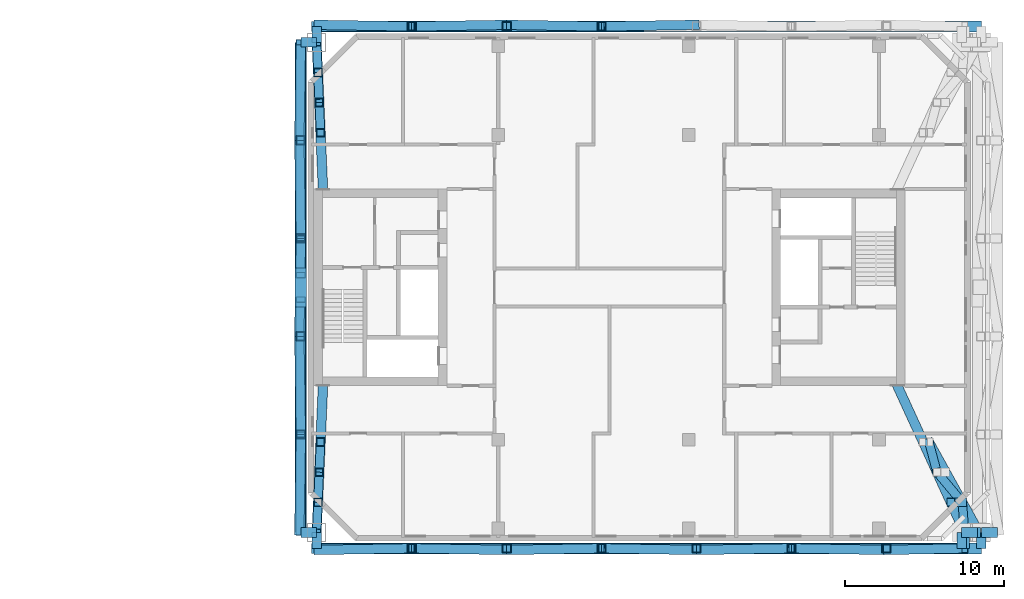
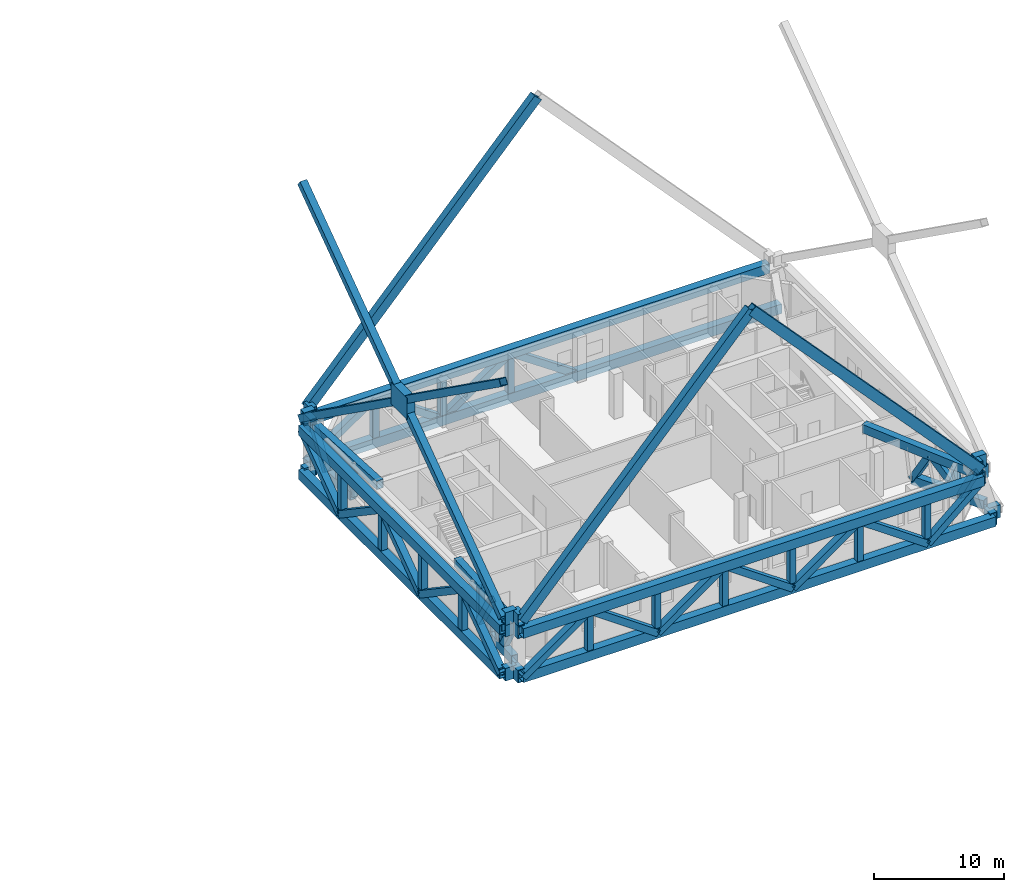
# One storey, part 4 of 22: 53 members, 30 beams.
"""IFC4 building model written with IfcOpenShell, lengths in metres."""

from ifc_helpers import new_model, si_unit, direction, frame, origin, origin_2d, place, context, subcontext, project, spatial, rectangle, hollow_rectangle, extrude, material, material_profile, profile_set, type_object, element, save


model = new_model("IFC4")

# Units and contexts
model_context = context("Model", 3, precision=1e-05, world=origin(), true_north=direction((0.0, 1.0)))
body_context = subcontext(model_context, "Body", "Model", "MODEL_VIEW")
ifc_project = project(units=[si_unit("LENGTHUNIT", "METRE"), si_unit("AREAUNIT", "SQUARE_METRE"), si_unit("VOLUMEUNIT", "CUBIC_METRE"), si_unit("PLANEANGLEUNIT", "RADIAN"), si_unit("MASSUNIT", "GRAM", prefix="KILO")], contexts=[model_context])

# Site, building, storey
site_placement = place(None, origin())
site = spatial("IfcSite", under=ifc_project, at=site_placement, CompositionType="ELEMENT")
building_placement = place(site_placement, origin())
building = spatial("IfcBuilding", under=site, at=building_placement, Name="Tuart Gate Housing", CompositionType="ELEMENT")
storey_placement = place(building_placement, frame((0.0, 0.0, 115.0)))
storey = spatial("IfcBuildingStorey", under=building, at=storey_placement, Name="L32", CompositionType="ELEMENT", Elevation=115.0)

# Beams
ifc_material_1 = material(Name="Steel Grade 350", Category="steel")
ifc_material_profile_1 = material_profile(ifc_material_1, hollow_rectangle(XDim=0.699951171875, YDim=0.89990234375, WallThickness=0.0400390625, at=origin_2d()), Name="BOX 900x700x40")
ifc_profile_set_1 = profile_set([ifc_material_profile_1], Name="Steel Grade 350")
beam_type_1 = type_object("IfcBeamType", Name="Belt truss chord BOX 900x700x40", PredefinedType="BEAM", material=ifc_profile_set_1)
beam_1_placement = place(storey_placement, frame((130.550048828125, 54.550048828125, 3.75), z_axis=(0.0, 1.0, 0.0), x_axis=(-1.0, 0.0, 0.0)))
element("IfcBeam", 1, at=beam_1_placement, inside=storey, type_object=beam_type_1, Name="Belt truss top chord B west L32", PredefinedType="BEAM", context=body_context, shape_type="SweptSolid", body=[
    extrude(hollow_rectangle(XDim=0.699951171875, YDim=0.89990234375, WallThickness=0.0400390625, at=origin_2d()), origin(), (0.0, 0.0, 1.0), 30.89990234375),
])
ifc_material_2 = material(Name="Steel Grade 350", Category="steel")
ifc_material_profile_2 = material_profile(ifc_material_2, hollow_rectangle(XDim=0.699951171875, YDim=0.89990234375, WallThickness=0.0400390625, at=origin_2d()), Name="BOX 900x700x40")
ifc_profile_set_2 = profile_set([ifc_material_profile_2], Name="Steel Grade 350")
beam_type_2 = type_object("IfcBeamType", Name="Belt truss chord BOX 900x700x40 (40.9-51.9 m)", PredefinedType="BEAM", material=ifc_profile_set_2)
for number, where, z_axis, x_axis, name in (
    (2, (131.550048828125, 53.550048828125, 3.75), (1.0, 0.0, 0.0), (0.0, 1.0, 0.0), "Belt truss top chord B south L32"),
    (3, (131.550048828125, 86.449951171875, 3.75), (1.0, 0.0, 0.0), (0.0, 1.0, 0.0), "Belt truss top chord B north L32"),
):
    element("IfcBeam", number, at=place(storey_placement, frame(where, z_axis=z_axis, x_axis=x_axis)), inside=storey, type_object=beam_type_2, Name=name, PredefinedType="BEAM", context=body_context, shape_type="SweptSolid", body=[
        extrude(hollow_rectangle(XDim=0.699951171875, YDim=0.89990234375, WallThickness=0.0400390625, at=origin_2d()), origin(), (0.0, 0.0, 1.0), 40.858154296875),
    ])

# Members
ifc_material_3 = material(Name="Steel Grade 350", Category="steel")
ifc_material_profile_3 = material_profile(ifc_material_3, hollow_rectangle(XDim=0.60009765625, YDim=0.60009765625, WallThickness=0.031982421875, at=origin_2d()), Name="BOX 600x600x32")
ifc_profile_set_3 = profile_set([ifc_material_profile_3], Name="Steel Grade 350")
member_type_1 = type_object("IfcMemberType", Name="Belt truss diagonal BOX 600x600x32", PredefinedType="BRACE", material=ifc_profile_set_3)
member_1_placement = place(storey_placement, frame((131.550048828125, 53.449951171875, -0.39990234375), z_axis=(0.821727049166, 0.013741815481, 0.569715559886), x_axis=(-0.016720752187, 0.999860198451, 0.0)))
element("IfcMember", 4, at=member_1_placement, inside=storey, type_object=member_type_1, Name="Belt truss diagonal B south 0 L32", PredefinedType="BRACE", context=body_context, shape_type="SweptSolid", body=[
    extrude(hollow_rectangle(XDim=0.60009765625, YDim=0.60009765625, WallThickness=0.031982421875, at=origin_2d()), origin(), (0.0, 0.0, 1.0), 7.2841796875),
])
member_2_placement = place(storey_placement, frame((137.53564453125, 53.550048828125, 3.75), z_axis=(0.821737933731, -0.013741437019, -0.569699869384), x_axis=(0.016720070399, 0.999860209852, 0.0)))
element("IfcMember", 5, at=member_2_placement, inside=storey, type_object=member_type_1, Name="Belt truss diagonal B south 1 L32", PredefinedType="BRACE", context=body_context, shape_type="SweptSolid", body=[
    extrude(hollow_rectangle(XDim=0.60009765625, YDim=0.60009765625, WallThickness=0.031982421875, at=origin_2d()), origin(), (0.0, 0.0, 1.0), 7.284423828125),
])
member_3_placement = place(storey_placement, frame((143.521484375, 53.449951171875, -0.39990234375), z_axis=(0.821727049166, 0.013741815481, 0.569715559886), x_axis=(-0.016720752187, 0.999860198451, 0.0)))
element("IfcMember", 6, at=member_3_placement, inside=storey, type_object=member_type_1, Name="Belt truss diagonal B south 2 L32", PredefinedType="BRACE", context=body_context, shape_type="SweptSolid", body=[
    extrude(hollow_rectangle(XDim=0.60009765625, YDim=0.60009765625, WallThickness=0.031982421875, at=origin_2d()), origin(), (0.0, 0.0, 1.0), 7.2841796875),
])
member_4_placement = place(storey_placement, frame((149.507080078125, 53.550048828125, 3.75), z_axis=(0.821737933731, -0.013741437019, -0.569699869384), x_axis=(0.016720070399, 0.999860209852, 0.0)))
element("IfcMember", 7, at=member_4_placement, inside=storey, type_object=member_type_1, Name="Belt truss diagonal B south 3 L32", PredefinedType="BRACE", context=body_context, shape_type="SweptSolid", body=[
    extrude(hollow_rectangle(XDim=0.60009765625, YDim=0.60009765625, WallThickness=0.031982421875, at=origin_2d()), origin(), (0.0, 0.0, 1.0), 7.284423828125),
])
member_5_placement = place(storey_placement, frame((155.492919921875, 53.449951171875, -0.39990234375), z_axis=(0.821727049166, 0.013741815481, 0.569715559886), x_axis=(-0.016720752187, 0.999860198451, 0.0)))
element("IfcMember", 8, at=member_5_placement, inside=storey, type_object=member_type_1, Name="Belt truss diagonal B south 4 L32", PredefinedType="BRACE", context=body_context, shape_type="SweptSolid", body=[
    extrude(hollow_rectangle(XDim=0.60009765625, YDim=0.60009765625, WallThickness=0.031982421875, at=origin_2d()), origin(), (0.0, 0.0, 1.0), 7.2841796875),
])
member_6_placement = place(storey_placement, frame((161.478515625, 53.550048828125, 3.75), z_axis=(0.821737933731, -0.013741437019, -0.569699869384), x_axis=(0.016720070399, 0.999860209852, 0.0)))
element("IfcMember", 9, at=member_6_placement, inside=storey, type_object=member_type_1, Name="Belt truss diagonal B south 5 L32", PredefinedType="BRACE", context=body_context, shape_type="SweptSolid", body=[
    extrude(hollow_rectangle(XDim=0.60009765625, YDim=0.60009765625, WallThickness=0.031982421875, at=origin_2d()), origin(), (0.0, 0.0, 1.0), 7.284423828125),
])
member_7_placement = place(storey_placement, frame((167.46435546875, 53.449951171875, -0.39990234375), z_axis=(0.765836272231, 0.01550582082, 0.642848639772), x_axis=(-0.020242764871, 0.999795094242, 0.0)))
element("IfcMember", 10, at=member_7_placement, inside=storey, type_object=member_type_1, Name="Belt truss diagonal B south 6 L32", PredefinedType="BRACE", context=body_context, shape_type="SweptSolid", body=[
    extrude(hollow_rectangle(XDim=0.60009765625, YDim=0.60009765625, WallThickness=0.031982421875, at=origin_2d()), origin(), (0.0, 0.0, 1.0), 6.45556640625),
])
member_8_placement = place(storey_placement, frame((131.550048828125, 86.550048828125, -0.39990234375), z_axis=(0.821727049166, -0.013741815481, 0.569715559886), x_axis=(0.016720752187, 0.999860198451, 0.0)))
element("IfcMember", 11, at=member_8_placement, inside=storey, type_object=member_type_1, Name="Belt truss diagonal B north 0 L32", PredefinedType="BRACE", context=body_context, shape_type="SweptSolid", body=[
    extrude(hollow_rectangle(XDim=0.60009765625, YDim=0.60009765625, WallThickness=0.031982421875, at=origin_2d()), origin(), (0.0, 0.0, 1.0), 7.2841796875),
])
member_9_placement = place(storey_placement, frame((137.53564453125, 86.449951171875, 3.75), z_axis=(0.821737933731, 0.013741437019, -0.569699869384), x_axis=(-0.016720070399, 0.999860209852, 0.0)))
element("IfcMember", 12, at=member_9_placement, inside=storey, type_object=member_type_1, Name="Belt truss diagonal B north 1 L32", PredefinedType="BRACE", context=body_context, shape_type="SweptSolid", body=[
    extrude(hollow_rectangle(XDim=0.60009765625, YDim=0.60009765625, WallThickness=0.031982421875, at=origin_2d()), origin(), (0.0, 0.0, 1.0), 7.284423828125),
])
member_10_placement = place(storey_placement, frame((143.521484375, 86.550048828125, -0.39990234375), z_axis=(0.821727049166, -0.013741815481, 0.569715559886), x_axis=(0.016720752187, 0.999860198451, 0.0)))
element("IfcMember", 13, at=member_10_placement, inside=storey, type_object=member_type_1, Name="Belt truss diagonal B north 2 L32", PredefinedType="BRACE", context=body_context, shape_type="SweptSolid", body=[
    extrude(hollow_rectangle(XDim=0.60009765625, YDim=0.60009765625, WallThickness=0.031982421875, at=origin_2d()), origin(), (0.0, 0.0, 1.0), 7.2841796875),
])
member_11_placement = place(storey_placement, frame((149.507080078125, 86.449951171875, 3.75), z_axis=(0.821737933731, 0.013741437019, -0.569699869384), x_axis=(-0.016720070399, 0.999860209852, 0.0)))
element("IfcMember", 14, at=member_11_placement, inside=storey, type_object=member_type_1, Name="Belt truss diagonal B north 3 L32", PredefinedType="BRACE", context=body_context, shape_type="SweptSolid", body=[
    extrude(hollow_rectangle(XDim=0.60009765625, YDim=0.60009765625, WallThickness=0.031982421875, at=origin_2d()), origin(), (0.0, 0.0, 1.0), 7.284423828125),
])
for number, where, z_axis, x_axis, name in (
    (15, (130.449951171875, 54.550048828125, -0.39990234375), (0.013445527925, 0.830113776504, 0.55743191139), (-0.999868850984, 0.016195086671, 0.0), "Belt truss diagonal B west 0 L32"),
    (16, (130.550048828125, 60.72998046875, 3.75), (-0.013445527925, 0.830113776504, -0.55743191139), (-0.999868850984, -0.016195086671, 0.0), "Belt truss diagonal B west 1 L32"),
):
    element("IfcMember", number, at=place(storey_placement, frame(where, z_axis=z_axis, x_axis=x_axis)), inside=storey, type_object=member_type_1, Name=name, PredefinedType="BRACE", context=body_context, shape_type="SweptSolid", body=[
        extrude(hollow_rectangle(XDim=0.60009765625, YDim=0.60009765625, WallThickness=0.031982421875, at=origin_2d()), origin(), (0.0, 0.0, 1.0), 7.444580078125),
    ])
member_12_placement = place(storey_placement, frame((130.449951171875, 66.909912109375, -0.39990234375), z_axis=(0.013445161909, 0.830123972098, 0.557416736894), x_axis=(-0.999868861343, 0.016194447071, 0.0)))
element("IfcMember", 17, at=member_12_placement, inside=storey, type_object=member_type_1, Name="Belt truss diagonal B west 2 L32", PredefinedType="BRACE", context=body_context, shape_type="SweptSolid", body=[
    extrude(hollow_rectangle(XDim=0.60009765625, YDim=0.60009765625, WallThickness=0.031982421875, at=origin_2d()), origin(), (0.0, 0.0, 1.0), 7.44482421875),
])
for number, where, z_axis, x_axis, name in (
    (18, (130.550048828125, 73.090087890625, 3.75), (-0.013445527925, 0.830113776504, -0.55743191139), (-0.999868850984, -0.016195086671, 0.0), "Belt truss diagonal B west 3 L32"),
    (19, (130.449951171875, 79.27001953125, -0.39990234375), (0.013445527925, 0.830113776504, 0.55743191139), (-0.999868850984, 0.016195086671, 0.0), "Belt truss diagonal B west 4 L32"),
):
    element("IfcMember", number, at=place(storey_placement, frame(where, z_axis=z_axis, x_axis=x_axis)), inside=storey, type_object=member_type_1, Name=name, PredefinedType="BRACE", context=body_context, shape_type="SweptSolid", body=[
        extrude(hollow_rectangle(XDim=0.60009765625, YDim=0.60009765625, WallThickness=0.031982421875, at=origin_2d()), origin(), (0.0, 0.0, 1.0), 7.444580078125),
    ])
ifc_material_4 = material(Name="Steel Grade 350", Category="steel")
ifc_material_profile_4 = material_profile(ifc_material_4, hollow_rectangle(XDim=0.56005859375, YDim=0.56005859375, WallThickness=0.030029296875, at=origin_2d()), Name="BOX 560x560x30")
ifc_profile_set_4 = profile_set([ifc_material_profile_4], Name="Steel Grade 350")
member_type_2 = type_object("IfcMemberType", Name="Belt truss post BOX 560x560x30", PredefinedType="POST", material=ifc_profile_set_4)
for number, where, z_axis, x_axis, name in (
    (20, (137.53564453125, 53.550048828125, -0.39990234375), (0.0, 0.0, 1.0), (1.0, 0.0, 0.0), "Belt truss post B south 1 L32"),
    (21, (143.521484375, 53.550048828125, -0.39990234375), (0.0, 0.0, 1.0), (1.0, 0.0, 0.0), "Belt truss post B south 2 L32"),
    (22, (149.507080078125, 53.550048828125, -0.39990234375), (0.0, 0.0, 1.0), (1.0, 0.0, 0.0), "Belt truss post B south 3 L32"),
    (23, (155.492919921875, 53.550048828125, -0.39990234375), (0.0, 0.0, 1.0), (1.0, 0.0, 0.0), "Belt truss post B south 4 L32"),
    (24, (161.478515625, 53.550048828125, -0.39990234375), (0.0, 0.0, 1.0), (1.0, 0.0, 0.0), "Belt truss post B south 5 L32"),
    (25, (167.46435546875, 53.550048828125, -0.39990234375), (0.0, 0.0, 1.0), (1.0, 0.0, 0.0), "Belt truss post B south 6 L32"),
    (26, (137.53564453125, 86.449951171875, -0.39990234375), (0.0, 0.0, 1.0), (1.0, 0.0, 0.0), "Belt truss post B north 1 L32"),
    (27, (143.521484375, 86.449951171875, -0.39990234375), (0.0, 0.0, 1.0), (1.0, 0.0, 0.0), "Belt truss post B north 2 L32"),
    (28, (149.507080078125, 86.449951171875, -0.39990234375), (0.0, 0.0, 1.0), (1.0, 0.0, 0.0), "Belt truss post B north 3 L32"),
    (29, (130.550048828125, 60.72998046875, -0.39990234375), (0.0, 0.0, 1.0), (1.0, 0.0, 0.0), "Belt truss post B west 1 L32"),
    (30, (130.550048828125, 66.909912109375, -0.39990234375), (0.0, 0.0, 1.0), (1.0, 0.0, 0.0), "Belt truss post B west 2 L32"),
    (31, (130.550048828125, 73.090087890625, -0.39990234375), (0.0, 0.0, 1.0), (1.0, 0.0, 0.0), "Belt truss post B west 3 L32"),
    (32, (130.550048828125, 79.27001953125, -0.39990234375), (0.0, 0.0, 1.0), (1.0, 0.0, 0.0), "Belt truss post B west 4 L32"),
):
    element("IfcMember", number, at=place(storey_placement, frame(where, z_axis=z_axis, x_axis=x_axis)), inside=storey, type_object=member_type_2, Name=name, PredefinedType="POST", context=body_context, shape_type="SweptSolid", body=[
        extrude(hollow_rectangle(XDim=0.56005859375, YDim=0.56005859375, WallThickness=0.030029296875, at=origin_2d()), origin(), (0.0, 0.0, 1.0), 4.14990234375),
    ])
ifc_material_5 = material(Name="Steel Grade 350", Category="steel")
ifc_material_profile_5 = material_profile(ifc_material_5, rectangle(XDim=2.446044921875, YDim=2.0048828125, at=origin_2d()), Name="Brace node plate 2446 x 2005")
ifc_profile_set_5 = profile_set([ifc_material_profile_5], Name="Steel Grade 350")
member_type_3 = type_object("IfcMemberType", Name="Brace node plate 2446 x 2005", PredefinedType="PLATE", material=ifc_profile_set_5)
member_13_placement = place(storey_placement, frame((130.193603515625, 70.0, 15.860107421875), z_axis=(1.0, 0.0, 0.0), x_axis=(0.0, 1.0, 0.0)))
element("IfcMember", 33, at=member_13_placement, inside=storey, type_object=member_type_3, Name="Brace node B zone 5 west", PredefinedType="PLATE", context=body_context, shape_type="SweptSolid", body=[
    extrude(rectangle(XDim=2.446044921875, YDim=2.0048828125, at=origin_2d()), origin(), (0.0, 0.0, 1.0), 0.712890625),
])

# Beams
ifc_material_6 = material(Name="Steel Grade 350", Category="steel")
ifc_material_profile_6 = material_profile(ifc_material_6, hollow_rectangle(XDim=0.60009765625, YDim=1.199951171875, WallThickness=0.0400390625, at=origin_2d()), Name="BOX 1200x600x40")
ifc_profile_set_6 = profile_set([ifc_material_profile_6], Name="Steel Grade 350")
beam_type_3 = type_object("IfcBeamType", Name="Brace shoe BOX 1200x600x40", PredefinedType="BEAM", material=ifc_profile_set_6)
for number, where, z_axis, x_axis, name in (
    (34, (131.550048828125, 54.550048828125, -0.39990234375), (0.0, -1.0, 0.0), (1.0, 0.0, 0.0), "Mega tie beam B node 4 south shoe 0 L32"),
    (35, (173.449951171875, 54.550048828125, -0.39990234375), (0.0, -1.0, 0.0), (1.0, 0.0, 0.0), "Mega tie beam B node 4 south shoe 1 L32"),
    (36, (131.550048828125, 85.449951171875, -0.39990234375), (0.0, 1.0, 0.0), (-1.0, 0.0, 0.0), "Mega tie beam B node 4 north shoe 0 L32"),
    (37, (173.449951171875, 54.550048828125, -0.39990234375), (1.0, 0.0, 0.0), (0.0, 1.0, 0.0), "Mega tie beam B node 4 east shoe 0 L32"),
    (38, (131.550048828125, 54.550048828125, -0.39990234375), (-1.0, 0.0, 0.0), (0.0, -1.0, 0.0), "Mega tie beam B node 4 west shoe 0 L32"),
    (39, (131.550048828125, 85.449951171875, -0.39990234375), (-1.0, 0.0, 0.0), (0.0, -1.0, 0.0), "Mega tie beam B node 4 west shoe 1 L32"),
    (40, (131.550048828125, 54.550048828125, 4.820068359375), (0.0, -1.0, 0.0), (1.0, 0.0, 0.0), "Mega brace shoe B zone 5 south chevron 1"),
    (41, (172.199951171875, 54.550048828125, 4.820068359375), (0.0, -1.0, 0.0), (1.0, 0.0, 0.0), "Mega brace shoe B zone 5 south chevron 2"),
    (42, (131.550048828125, 85.449951171875, 4.820068359375), (0.0, 1.0, 0.0), (-1.0, 0.0, 0.0), "Mega brace shoe B zone 5 north chevron 1"),
    (43, (172.199951171875, 54.550048828125, 4.820068359375), (1.0, 0.0, 0.0), (0.0, 1.0, 0.0), "Mega brace shoe B zone 5 east cross 1"),
    (44, (131.550048828125, 54.550048828125, 4.820068359375), (-1.0, 0.0, 0.0), (0.0, -1.0, 0.0), "Mega brace shoe B zone 5 west cross 1"),
    (45, (131.550048828125, 85.449951171875, 4.820068359375), (-1.0, 0.0, 0.0), (0.0, -1.0, 0.0), "Mega brace shoe B zone 5 west cross 2"),
    (46, (131.550048828125, 54.550048828125, 3.75), (0.0, -1.0, 0.0), (1.0, 0.0, 0.0), "Belt truss top chord B south shoe 0 L32"),
    (47, (172.408203125, 54.550048828125, 3.75), (0.0, -1.0, 0.0), (1.0, 0.0, 0.0), "Belt truss top chord B south shoe 1 L32"),
    (48, (131.550048828125, 85.449951171875, 3.75), (0.0, 1.0, 0.0), (-1.0, 0.0, 0.0), "Belt truss top chord B north shoe 0 L32"),
    (49, (172.408203125, 54.550048828125, 3.75), (1.0, 0.0, 0.0), (0.0, 1.0, 0.0), "Belt truss top chord B east shoe 0 L32"),
    (50, (131.550048828125, 54.550048828125, 3.75), (-1.0, 0.0, 0.0), (0.0, -1.0, 0.0), "Belt truss top chord B west shoe 0 L32"),
    (51, (131.550048828125, 85.449951171875, 3.75), (-1.0, 0.0, 0.0), (0.0, -1.0, 0.0), "Belt truss top chord B west shoe 1 L32"),
):
    element("IfcBeam", number, at=place(storey_placement, frame(where, z_axis=z_axis, x_axis=x_axis)), inside=storey, type_object=beam_type_3, Name=name, PredefinedType="BEAM", context=body_context, shape_type="SweptSolid", body=[
        extrude(hollow_rectangle(XDim=0.60009765625, YDim=1.199951171875, WallThickness=0.0400390625, at=origin_2d()), origin(), (0.0, 0.0, 1.0), 1.0),
    ])

# Members
ifc_material_7 = material(Name="Steel Grade 350", Category="steel")
ifc_material_profile_7 = material_profile(ifc_material_7, hollow_rectangle(XDim=0.6201171875, YDim=0.6201171875, WallThickness=0.031005859375, at=origin_2d()), Name="BOX 620x620x31")
ifc_profile_set_7 = profile_set([ifc_material_profile_7], Name="Steel Grade 350")
member_type_4 = type_object("IfcMemberType", Name="Mega brace BOX 620x620x31", PredefinedType="BRACE", material=ifc_profile_set_7)
for number, where, z_axis, x_axis, name in (
    (52, (130.550048828125, 54.550048828125, 4.820068359375), (0.0, 0.813629209006, 0.581384133128), (-1.0, 0.0, 0.0), "Mega brace B zone 5 west cross 1 a"),
    (53, (130.550048828125, 70.77294921875, 16.412353515625), (0.0, 0.813629209006, 0.581384133128), (-1.0, 0.0, 0.0), "Mega brace B zone 5 west cross 1 b"),
    (54, (130.550048828125, 85.449951171875, 4.820068359375), (0.0, -0.813629209006, 0.581384133128), (1.0, 0.0, 0.0), "Mega brace B zone 5 west cross 2 a"),
    (55, (130.550048828125, 69.22705078125, 16.412353515625), (0.0, -0.813629209006, 0.581384133128), (1.0, 0.0, 0.0), "Mega brace B zone 5 west cross 2 b"),
):
    element("IfcMember", number, at=place(storey_placement, frame(where, z_axis=z_axis, x_axis=x_axis)), inside=storey, type_object=member_type_4, Name=name, PredefinedType="BRACE", context=body_context, shape_type="SweptSolid", body=[
        extrude(hollow_rectangle(XDim=0.6201171875, YDim=0.6201171875, WallThickness=0.031005859375, at=origin_2d()), origin(), (0.0, 0.0, 1.0), 18.038818359375),
    ])
ifc_material_8 = material(Name="Steel Grade 350", Category="steel")
ifc_material_profile_8 = material_profile(ifc_material_8, hollow_rectangle(XDim=0.6201171875, YDim=0.85009765625, WallThickness=0.0419921875, at=origin_2d()), Name="BOX 850x620x42")
ifc_profile_set_8 = profile_set([ifc_material_profile_8], Name="Steel Grade 350")
member_type_5 = type_object("IfcMemberType", Name="Mega brace BOX 850x620x42", PredefinedType="BRACE", material=ifc_profile_set_8)
for number, where, z_axis, x_axis, name in (
    (56, (131.550048828125, 53.550048828125, 4.820068359375), (0.677264113797, 0.0, 0.735739981354), (0.0, 1.0, 0.0), "Mega brace B zone 5 south chevron 1"),
    (57, (172.199951171875, 53.550048828125, 4.820068359375), (-0.677264113797, 0.0, 0.735739981354), (0.0, -1.0, 0.0), "Mega brace B zone 5 south chevron 2"),
    (58, (131.550048828125, 86.449951171875, 4.820068359375), (0.677264113797, 0.0, 0.735739981354), (0.0, 1.0, 0.0), "Mega brace B zone 5 north chevron 1"),
):
    element("IfcMember", number, at=place(storey_placement, frame(where, z_axis=z_axis, x_axis=x_axis)), inside=storey, type_object=member_type_5, Name=name, PredefinedType="BRACE", context=body_context, shape_type="SweptSolid", body=[
        extrude(hollow_rectangle(XDim=0.6201171875, YDim=0.85009765625, WallThickness=0.0419921875, at=origin_2d()), origin(), (0.0, 0.0, 1.0), 30.010498046875),
    ])

# Beams
ifc_material_9 = material(Name="Steel Grade 350", Category="steel")
ifc_material_profile_9 = material_profile(ifc_material_9, hollow_rectangle(XDim=0.60009765625, YDim=0.800048828125, WallThickness=0.0400390625, at=origin_2d()), Name="BOX 800x600x40")
ifc_profile_set_9 = profile_set([ifc_material_profile_9], Name="Steel Grade 350")
beam_type_4 = type_object("IfcBeamType", Name="Outrigger chord BOX 800x600x40", PredefinedType="BEAM", material=ifc_profile_set_9)
beam_2_placement = place(storey_placement, frame((170.142822265625, 60.25, 0.550048828125), z_axis=(0.484194475827, -0.874960404577, 0.0), x_axis=(0.874960404577, 0.484194475827, 0.0)))
element("IfcBeam", 59, at=beam_2_placement, inside=storey, type_object=beam_type_4, Name="Outrigger bottom chord BK south 0 L32", PredefinedType="BEAM", context=body_context, shape_type="SweptSolid", body=[
    extrude(hollow_rectangle(XDim=0.60009765625, YDim=0.800048828125, WallThickness=0.0400390625, at=origin_2d()), origin(), (0.0, 0.0, 1.0), 6.514404296875),
])
for number, where, z_axis, x_axis, name in (
    (60, (131.7958984375, 60.25, 0.550048828125), (-0.043091815399, -0.99907111631, 0.0), (0.99907111631, -0.043091815399, 0.0), "Outrigger bottom chord BG south 0 L32"),
    (61, (131.7958984375, 79.75, 0.550048828125), (-0.043091815399, 0.99907111631, 0.0), (-0.99907111631, -0.043091815399, 0.0), "Outrigger bottom chord BG north 0 L32"),
):
    element("IfcBeam", number, at=place(storey_placement, frame(where, z_axis=z_axis, x_axis=x_axis)), inside=storey, type_object=beam_type_4, Name=name, PredefinedType="BEAM", context=body_context, shape_type="SweptSolid", body=[
        extrude(hollow_rectangle(XDim=0.60009765625, YDim=0.800048828125, WallThickness=0.0400390625, at=origin_2d()), origin(), (0.0, 0.0, 1.0), 5.705322265625),
    ])
ifc_material_10 = material(Name="Steel Grade 350", Category="steel")
ifc_material_profile_10 = material_profile(ifc_material_10, hollow_rectangle(XDim=0.60009765625, YDim=0.800048828125, WallThickness=0.0400390625, at=origin_2d()), Name="BOX 800x600x40")
ifc_profile_set_10 = profile_set([ifc_material_profile_10], Name="Steel Grade 350")
beam_type_5 = type_object("IfcBeamType", Name="Outrigger chord BOX 800x600x40 (8.2-10.5 m)", PredefinedType="BEAM", material=ifc_profile_set_10)
beam_3_placement = place(storey_placement, frame((168.0400390625, 64.050048828125, 3.800048828125), z_axis=(0.416661145924, -0.909061873294, 0.0), x_axis=(0.909061873294, 0.416661145924, 0.0)))
element("IfcBeam", 62, at=beam_3_placement, inside=storey, type_object=beam_type_5, Name="Outrigger top chord BK south L32", PredefinedType="BEAM", context=body_context, shape_type="SweptSolid", body=[
    extrude(hollow_rectangle(XDim=0.60009765625, YDim=0.800048828125, WallThickness=0.0400390625, at=origin_2d()), origin(), (0.0, 0.0, 1.0), 10.450439453125),
])
for number, where, z_axis, x_axis, name in (
    (63, (131.9599609375, 64.050048828125, 3.800048828125), (-0.043108531904, -0.999070395156, 0.0), (0.999070395156, -0.043108531904, 0.0), "Outrigger top chord BG south L32"),
    (64, (131.9599609375, 75.949951171875, 3.800048828125), (-0.043108531904, 0.999070395156, 0.0), (-0.999070395156, -0.043108531904, 0.0), "Outrigger top chord BG north L32"),
):
    element("IfcBeam", number, at=place(storey_placement, frame(where, z_axis=z_axis, x_axis=x_axis)), inside=storey, type_object=beam_type_5, Name=name, PredefinedType="BEAM", context=body_context, shape_type="SweptSolid", body=[
        extrude(hollow_rectangle(XDim=0.60009765625, YDim=0.800048828125, WallThickness=0.0400390625, at=origin_2d()), origin(), (0.0, 0.0, 1.0), 9.5087890625),
    ])

# Members
ifc_material_11 = material(Name="Steel Grade 350", Category="steel")
ifc_material_profile_11 = material_profile(ifc_material_11, hollow_rectangle(XDim=0.5400390625, YDim=0.5400390625, WallThickness=0.030029296875, at=origin_2d()), Name="BOX 540x540x30")
ifc_profile_set_11 = profile_set([ifc_material_profile_11], Name="Steel Grade 350")
member_type_6 = type_object("IfcMemberType", Name="Outrigger diagonal BOX 540x540x30", PredefinedType="BRACE", material=ifc_profile_set_11)
member_14_placement = place(storey_placement, frame((170.142822265625, 60.25, 0.550048828125), z_axis=(0.134186071394, -0.500113030453, 0.855500470494), x_axis=(0.96583829137, 0.259145509172, 0.0)))
element("IfcMember", 65, at=member_14_placement, inside=storey, type_object=member_type_6, Name="Outrigger diagonal BK south 2 L32", PredefinedType="BRACE", context=body_context, shape_type="SweptSolid", body=[
    extrude(hollow_rectangle(XDim=0.5400390625, YDim=0.5400390625, WallThickness=0.030029296875, at=origin_2d()), origin(), (0.0, 0.0, 1.0), 3.798828125),
])
member_15_placement = place(storey_placement, frame((170.652587890625, 58.35009765625, 3.800048828125), z_axis=(0.389743508797, -0.464813626872, -0.795014647427), x_axis=(0.766272850822, 0.642515305726, 0.0)))
element("IfcMember", 66, at=member_15_placement, inside=storey, type_object=member_type_6, Name="Outrigger diagonal BK south 3 L32", PredefinedType="BRACE", context=body_context, shape_type="SweptSolid", body=[
    extrude(hollow_rectangle(XDim=0.5400390625, YDim=0.5400390625, WallThickness=0.030029296875, at=origin_2d()), origin(), (0.0, 0.0, 1.0), 4.087890625),
])
member_16_placement = place(storey_placement, frame((172.245849609375, 56.449951171875, 0.550048828125), z_axis=(0.039399321533, -0.504285395018, 0.862637776726), x_axis=(0.996961830467, 0.077891646482, 0.0)))
element("IfcMember", 67, at=member_16_placement, inside=storey, type_object=member_type_6, Name="Outrigger diagonal BK south 4 L32", PredefinedType="BRACE", context=body_context, shape_type="SweptSolid", body=[
    extrude(hollow_rectangle(XDim=0.5400390625, YDim=0.5400390625, WallThickness=0.030029296875, at=origin_2d()), origin(), (0.0, 0.0, 1.0), 3.767578125),
])
member_17_placement = place(storey_placement, frame((131.7958984375, 60.25, 0.550048828125), z_axis=(-0.021720251236, -0.504558194384, 0.863104431205), x_axis=(0.999074718087, -0.043008228034, 0.0)))
element("IfcMember", 68, at=member_17_placement, inside=storey, type_object=member_type_6, Name="Outrigger diagonal BG south 2 L32", PredefinedType="BRACE", context=body_context, shape_type="SweptSolid", body=[
    extrude(hollow_rectangle(XDim=0.5400390625, YDim=0.5400390625, WallThickness=0.030029296875, at=origin_2d()), origin(), (0.0, 0.0, 1.0), 3.765380859375),
])
member_18_placement = place(storey_placement, frame((131.714111328125, 58.35009765625, 3.800048828125), z_axis=(-0.021784344401, -0.504605810923, -0.863074978158), x_axis=(0.999069432334, -0.043130840198, 0.0)))
element("IfcMember", 69, at=member_18_placement, inside=storey, type_object=member_type_6, Name="Outrigger diagonal BG south 3 L32", PredefinedType="BRACE", context=body_context, shape_type="SweptSolid", body=[
    extrude(hollow_rectangle(XDim=0.5400390625, YDim=0.5400390625, WallThickness=0.030029296875, at=origin_2d()), origin(), (0.0, 0.0, 1.0), 3.765625),
])
for number, where, z_axis, x_axis, name in (
    (70, (131.632080078125, 56.449951171875, 0.550048828125), (-0.021785057082, -0.504557482773, 0.863103213913), (0.999069193493, -0.043136372271, 0.0), "Outrigger diagonal BG south 4 L32"),
    (71, (131.7958984375, 79.75, 0.550048828125), (-0.021720251236, 0.504558194384, 0.863104431205), (-0.999074718087, -0.043008228034, 0.0), "Outrigger diagonal BG north 2 L32"),
):
    element("IfcMember", number, at=place(storey_placement, frame(where, z_axis=z_axis, x_axis=x_axis)), inside=storey, type_object=member_type_6, Name=name, PredefinedType="BRACE", context=body_context, shape_type="SweptSolid", body=[
        extrude(hollow_rectangle(XDim=0.5400390625, YDim=0.5400390625, WallThickness=0.030029296875, at=origin_2d()), origin(), (0.0, 0.0, 1.0), 3.765380859375),
    ])
member_19_placement = place(storey_placement, frame((131.714111328125, 81.64990234375, 3.800048828125), z_axis=(-0.021784344401, 0.504605810923, -0.863074978158), x_axis=(-0.999069432334, -0.043130840198, 0.0)))
element("IfcMember", 72, at=member_19_placement, inside=storey, type_object=member_type_6, Name="Outrigger diagonal BG north 3 L32", PredefinedType="BRACE", context=body_context, shape_type="SweptSolid", body=[
    extrude(hollow_rectangle(XDim=0.5400390625, YDim=0.5400390625, WallThickness=0.030029296875, at=origin_2d()), origin(), (0.0, 0.0, 1.0), 3.765625),
])
member_20_placement = place(storey_placement, frame((131.632080078125, 83.550048828125, 0.550048828125), z_axis=(-0.021785057082, 0.504557482773, 0.863103213913), x_axis=(-0.999069193493, -0.043136372271, 0.0)))
element("IfcMember", 73, at=member_20_placement, inside=storey, type_object=member_type_6, Name="Outrigger diagonal BG north 4 L32", PredefinedType="BRACE", context=body_context, shape_type="SweptSolid", body=[
    extrude(hollow_rectangle(XDim=0.5400390625, YDim=0.5400390625, WallThickness=0.030029296875, at=origin_2d()), origin(), (0.0, 0.0, 1.0), 3.765380859375),
])
ifc_material_12 = material(Name="Steel Grade 350", Category="steel")
ifc_material_profile_12 = material_profile(ifc_material_12, hollow_rectangle(XDim=0.52001953125, YDim=0.52001953125, WallThickness=0.028076171875, at=origin_2d()), Name="BOX 520x520x28")
ifc_profile_set_12 = profile_set([ifc_material_profile_12], Name="Steel Grade 350")
member_type_7 = type_object("IfcMemberType", Name="Outrigger post BOX 520x520x28", PredefinedType="POST", material=ifc_profile_set_12)
member_21_placement = place(storey_placement, frame((172.245849609375, 56.449951171875, 0.550048828125), z_axis=(-0.216984808288, 0.0, 0.976174980714), x_axis=(0.0, -1.0, 0.0)))
element("IfcMember", 74, at=member_21_placement, inside=storey, type_object=member_type_7, Name="Outrigger post BK south 4 L32", PredefinedType="POST", context=body_context, shape_type="SweptSolid", body=[
    extrude(hollow_rectangle(XDim=0.52001953125, YDim=0.52001953125, WallThickness=0.028076171875, at=origin_2d()), origin(), (0.0, 0.0, 1.0), 3.329345703125),
])
for number, where, z_axis, x_axis, name in (
    (75, (131.7958984375, 60.25, 0.550048828125), (0.0, 0.0, 1.0), (1.0, 0.0, 0.0), "Outrigger post BG south 2 L32"),
    (76, (131.714111328125, 58.35009765625, 0.550048828125), (0.0, 0.0, 1.0), (1.0, 0.0, 0.0), "Outrigger post BG south 3 L32"),
    (77, (131.632080078125, 56.449951171875, 0.550048828125), (0.0, 0.0, 1.0), (1.0, 0.0, 0.0), "Outrigger post BG south 4 L32"),
    (78, (131.7958984375, 79.75, 0.550048828125), (0.0, 0.0, 1.0), (1.0, 0.0, 0.0), "Outrigger post BG north 2 L32"),
    (79, (131.714111328125, 81.64990234375, 0.550048828125), (0.0, 0.0, 1.0), (1.0, 0.0, 0.0), "Outrigger post BG north 3 L32"),
    (80, (131.632080078125, 83.550048828125, 0.550048828125), (0.0, 0.0, 1.0), (1.0, 0.0, 0.0), "Outrigger post BG north 4 L32"),
):
    element("IfcMember", number, at=place(storey_placement, frame(where, z_axis=z_axis, x_axis=x_axis)), inside=storey, type_object=member_type_7, Name=name, PredefinedType="POST", context=body_context, shape_type="SweptSolid", body=[
        extrude(hollow_rectangle(XDim=0.52001953125, YDim=0.52001953125, WallThickness=0.028076171875, at=origin_2d()), origin(), (0.0, 0.0, 1.0), 3.25),
    ])

# Beams
ifc_material_13 = material(Name="Steel Grade 350", Category="steel")
ifc_material_profile_13 = material_profile(ifc_material_13, hollow_rectangle(XDim=0.699951171875, YDim=0.89990234375, WallThickness=0.0400390625, at=origin_2d()), Name="BOX 900x700x40")
ifc_profile_set_13 = profile_set([ifc_material_profile_13], Name="Steel Grade 350")
beam_type_6 = type_object("IfcBeamType", Name="Tie beam BOX 900x700x40", PredefinedType="BEAM", material=ifc_profile_set_13)
beam_4_placement = place(storey_placement, frame((130.550048828125, 54.550048828125, -0.39990234375), z_axis=(0.0, 1.0, 0.0), x_axis=(-1.0, 0.0, 0.0)))
element("IfcBeam", 81, at=beam_4_placement, inside=storey, type_object=beam_type_6, Name="Mega tie beam B node 4 west L32", PredefinedType="BEAM", context=body_context, shape_type="SweptSolid", body=[
    extrude(hollow_rectangle(XDim=0.699951171875, YDim=0.89990234375, WallThickness=0.0400390625, at=origin_2d()), origin(), (0.0, 0.0, 1.0), 30.89990234375),
])
ifc_material_14 = material(Name="Steel Grade 350", Category="steel")
ifc_material_profile_14 = material_profile(ifc_material_14, hollow_rectangle(XDim=0.699951171875, YDim=0.89990234375, WallThickness=0.0400390625, at=origin_2d()), Name="BOX 900x700x40")
ifc_profile_set_14 = profile_set([ifc_material_profile_14], Name="Steel Grade 350")
beam_type_7 = type_object("IfcBeamType", Name="Tie beam BOX 900x700x40 (40.6-51.7 m)", PredefinedType="BEAM", material=ifc_profile_set_14)
for number, where, z_axis, x_axis, name in (
    (82, (131.550048828125, 53.550048828125, -0.39990234375), (1.0, 0.0, 0.0), (0.0, 1.0, 0.0), "Mega tie beam B node 4 south L32"),
    (83, (131.550048828125, 86.449951171875, -0.39990234375), (1.0, 0.0, 0.0), (0.0, 1.0, 0.0), "Mega tie beam B node 4 north L32"),
):
    element("IfcBeam", number, at=place(storey_placement, frame(where, z_axis=z_axis, x_axis=x_axis)), inside=storey, type_object=beam_type_7, Name=name, PredefinedType="BEAM", context=body_context, shape_type="SweptSolid", body=[
        extrude(hollow_rectangle(XDim=0.699951171875, YDim=0.89990234375, WallThickness=0.0400390625, at=origin_2d()), origin(), (0.0, 0.0, 1.0), 41.89990234375),
    ])

save(model, "model.ifc")
